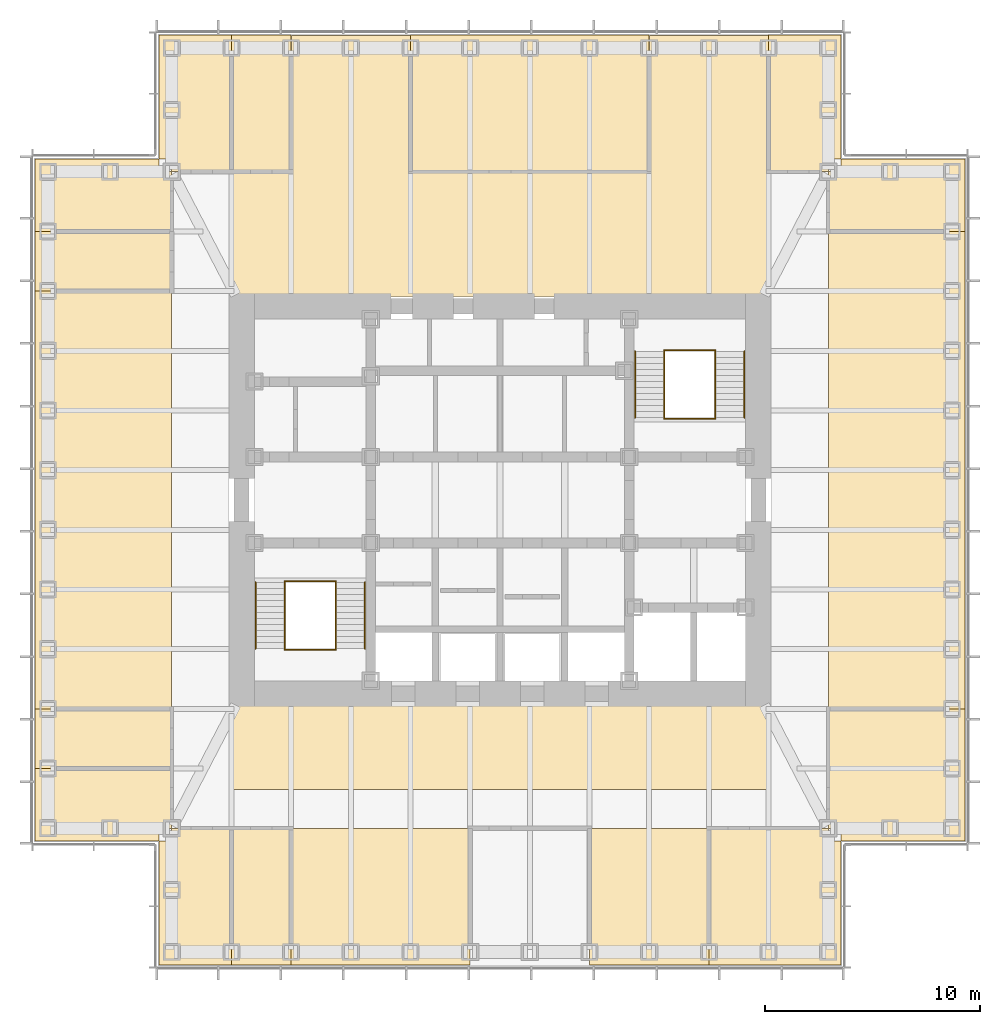
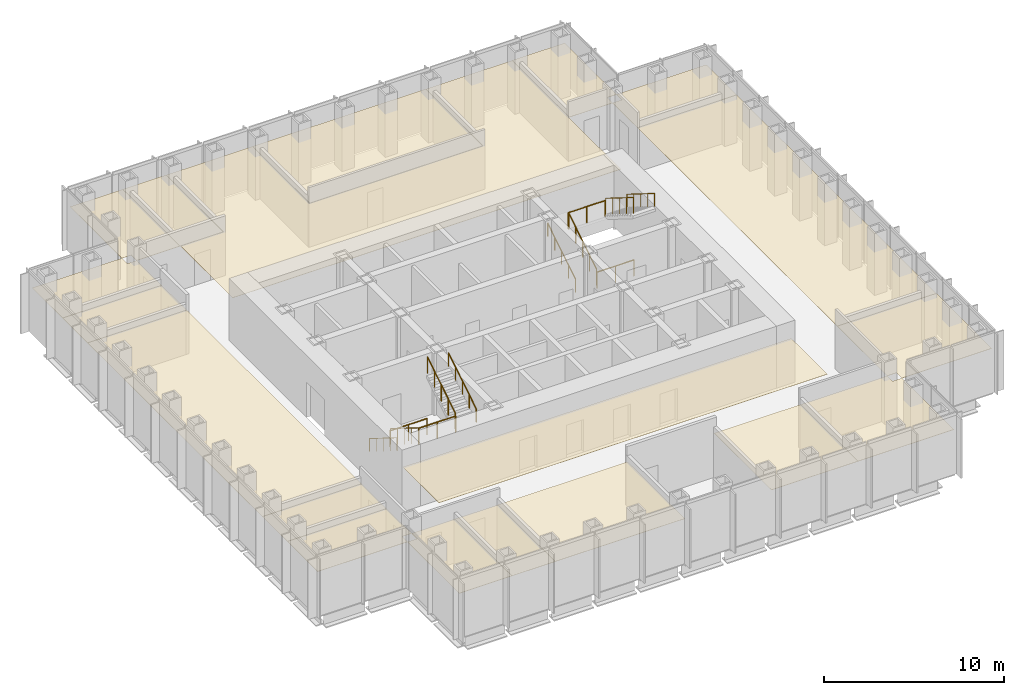
# One storey, part 16 of 16: 19 coverings, 12 railings.
"""IFC4 building model written with IfcOpenShell, lengths in metres."""

from ifc_helpers import new_model, si_unit, direction, frame, origin, origin_2d, place, context, subcontext, project, spatial, polyline, circle, outline, extrude, material, layer, layer_set, type_object, element, save


model = new_model("IFC4")

# Units and contexts
model_context = context("Model", 3, precision=1e-05, world=origin(), true_north=direction((0.0, 1.0)))
body_context = subcontext(model_context, "Body", "Model", "MODEL_VIEW")
ifc_project = project(units=[si_unit("LENGTHUNIT", "METRE"), si_unit("AREAUNIT", "SQUARE_METRE"), si_unit("VOLUMEUNIT", "CUBIC_METRE"), si_unit("PLANEANGLEUNIT", "RADIAN"), si_unit("MASSUNIT", "GRAM", prefix="KILO")], contexts=[model_context])

# Site, building, storey
site_placement = place(None, origin())
site = spatial("IfcSite", under=ifc_project, at=site_placement, CompositionType="ELEMENT")
building_placement = place(site_placement, origin())
building = spatial("IfcBuilding", under=site, at=building_placement, Name="Daluyong Arena Tower", CompositionType="ELEMENT")
storey_placement = place(building_placement, frame((0.0, 0.0, 262.89990234375)))
storey = spatial("IfcBuildingStorey", under=building, at=storey_placement, Name="L59", CompositionType="ELEMENT", Elevation=262.89990234375)

# Coverings
ifc_material_1 = material(Name="Mineral fibre ceiling tile", Category="gypsum board")
ifc_layer = layer(ifc_material_1, 0.02001953125)
ifc_layer_set = layer_set([ifc_layer], Name="Mineral fibre ceiling tile")
covering_type = type_object("IfcCoveringType", Name="Office ceiling", PredefinedType="CEILING", material=ifc_layer_set)
covering_1_placement = place(storey_placement, frame((0.0, 0.0, 2.900146484375)))
element("IfcCovering", 1, at=covering_1_placement, inside=storey, type_object=covering_type, Name="ceiling L59-01", PredefinedType="CEILING", context=body_context, shape_type="SweptSolid", body=[
    extrude(outline(polyline([(40.14990234375, 64.14990234375), (40.14990234375, 58.39990234375), (43.522705078125, 58.39990234375), (43.522705078125, 64.75), (40.75, 64.75), (40.75, 64.14990234375), (40.14990234375, 64.14990234375)])), origin(), (0.0, 0.0, 1.0), 0.02001953125),
])
covering_2_placement = place(storey_placement, frame((0.0, 0.0, 2.900146484375)))
element("IfcCovering", 2, at=covering_2_placement, inside=storey, type_object=covering_type, Name="ceiling L59-02", PredefinedType="CEILING", context=body_context, shape_type="SweptSolid", body=[
    extrude(outline(polyline([(43.522705078125, 64.75), (43.522705078125, 58.39990234375), (46.29541015625, 58.39990234375), (46.29541015625, 64.75), (43.522705078125, 64.75)])), origin(), (0.0, 0.0, 1.0), 0.02001953125),
])
covering_3_placement = place(storey_placement, frame((0.0, 0.0, 2.900146484375)))
element("IfcCovering", 3, at=covering_3_placement, inside=storey, type_object=covering_type, Name="ceiling L59-04", PredefinedType="CEILING", context=body_context, shape_type="SweptSolid", body=[
    extrude(outline(polyline([(71.85009765625, 58.39990234375), (71.85009765625, 64.14990234375), (71.25, 64.14990234375), (71.25, 64.75), (65.70458984375, 64.75), (65.70458984375, 58.39990234375), (71.85009765625, 58.39990234375)])), origin(), (0.0, 0.0, 1.0), 0.02001953125),
])
covering_4_placement = place(storey_placement, frame((0.0, 0.0, 2.900146484375)))
element("IfcCovering", 4, at=covering_4_placement, inside=storey, type_object=covering_type, Name="ceiling L59-05", PredefinedType="CEILING", context=body_context, shape_type="SweptSolid", body=[
    extrude(outline(polyline([(71.85009765625, 64.14990234375), (77.60009765625, 64.14990234375), (77.60009765625, 70.29541015625), (71.25, 70.29541015625), (71.25, 64.75), (71.85009765625, 64.75), (71.85009765625, 64.14990234375)])), origin(), (0.0, 0.0, 1.0), 0.02001953125),
])
covering_5_placement = place(storey_placement, frame((0.0, 0.0, 2.900146484375)))
element("IfcCovering", 5, at=covering_5_placement, inside=storey, type_object=covering_type, Name="ceiling L59-06", PredefinedType="CEILING", context=body_context, shape_type="SweptSolid", body=[
    extrude(outline(polyline([(71.25, 92.477294921875), (77.60009765625, 92.477294921875), (77.60009765625, 95.85009765625), (71.85009765625, 95.85009765625), (71.85009765625, 95.25), (71.25, 95.25), (71.25, 92.477294921875)])), origin(), (0.0, 0.0, 1.0), 0.02001953125),
])
covering_6_placement = place(storey_placement, frame((0.0, 0.0, 2.900146484375)))
element("IfcCovering", 6, at=covering_6_placement, inside=storey, type_object=covering_type, Name="ceiling L59-07", PredefinedType="CEILING", context=body_context, shape_type="SweptSolid", body=[
    extrude(outline(polyline([(43.522705078125, 95.25), (43.522705078125, 101.60009765625), (40.14990234375, 101.60009765625), (40.14990234375, 95.85009765625), (40.75, 95.85009765625), (40.75, 95.25), (43.522705078125, 95.25)])), origin(), (0.0, 0.0, 1.0), 0.02001953125),
])
covering_7_placement = place(storey_placement, frame((0.0, 0.0, 2.900146484375)))
element("IfcCovering", 7, at=covering_7_placement, inside=storey, type_object=covering_type, Name="ceiling L59-08", PredefinedType="CEILING", context=body_context, shape_type="SweptSolid", body=[
    extrude(outline(polyline([(46.29541015625, 95.25), (46.29541015625, 101.60009765625), (43.522705078125, 101.60009765625), (43.522705078125, 95.25), (46.29541015625, 95.25)])), origin(), (0.0, 0.0, 1.0), 0.02001953125),
])
covering_8_placement = place(storey_placement, frame((0.0, 0.0, 2.900146484375)))
element("IfcCovering", 8, at=covering_8_placement, inside=storey, type_object=covering_type, Name="ceiling L59-09", PredefinedType="CEILING", context=body_context, shape_type="SweptSolid", body=[
    extrude(outline(polyline([(62.931884765625, 95.25), (62.931884765625, 101.60009765625), (51.8408203125, 101.60009765625), (51.8408203125, 95.25), (62.931884765625, 95.25)])), origin(), (0.0, 0.0, 1.0), 0.02001953125),
])
covering_9_placement = place(storey_placement, frame((0.0, 0.0, 2.900146484375)))
element("IfcCovering", 9, at=covering_9_placement, inside=storey, type_object=covering_type, Name="ceiling L59-10", PredefinedType="CEILING", context=body_context, shape_type="SweptSolid", body=[
    extrude(outline(polyline([(68.477294921875, 95.25), (71.25, 95.25), (71.25, 95.85009765625), (71.85009765625, 95.85009765625), (71.85009765625, 101.60009765625), (68.477294921875, 101.60009765625), (68.477294921875, 95.25)])), origin(), (0.0, 0.0, 1.0), 0.02001953125),
])
covering_10_placement = place(storey_placement, frame((0.0, 0.0, 2.900146484375)))
element("IfcCovering", 10, at=covering_10_placement, inside=storey, type_object=covering_type, Name="ceiling L59-11", PredefinedType="CEILING", context=body_context, shape_type="SweptSolid", body=[
    extrude(outline(polyline([(34.39990234375, 64.14990234375), (40.14990234375, 64.14990234375), (40.14990234375, 64.75), (40.75, 64.75), (40.75, 67.522705078125), (34.39990234375, 67.522705078125), (34.39990234375, 64.14990234375)])), origin(), (0.0, 0.0, 1.0), 0.02001953125),
])
covering_11_placement = place(storey_placement, frame((0.0, 0.0, 2.900146484375)))
element("IfcCovering", 11, at=covering_11_placement, inside=storey, type_object=covering_type, Name="ceiling L59-12", PredefinedType="CEILING", context=body_context, shape_type="SweptSolid", body=[
    extrude(outline(polyline([(40.75, 70.29541015625), (34.39990234375, 70.29541015625), (34.39990234375, 67.522705078125), (40.75, 67.522705078125), (40.75, 70.29541015625)])), origin(), (0.0, 0.0, 1.0), 0.02001953125),
])
covering_12_placement = place(storey_placement, frame((0.0, 0.0, 2.900146484375)))
element("IfcCovering", 12, at=covering_12_placement, inside=storey, type_object=covering_type, Name="ceiling L59-13", PredefinedType="CEILING", context=body_context, shape_type="SweptSolid", body=[
    extrude(outline(polyline([(40.75, 92.477294921875), (34.39990234375, 92.477294921875), (34.39990234375, 89.70458984375), (40.75, 89.70458984375), (40.75, 92.477294921875)])), origin(), (0.0, 0.0, 1.0), 0.02001953125),
])
covering_13_placement = place(storey_placement, frame((0.0, 0.0, 2.900146484375)))
element("IfcCovering", 13, at=covering_13_placement, inside=storey, type_object=covering_type, Name="ceiling L59-14", PredefinedType="CEILING", context=body_context, shape_type="SweptSolid", body=[
    extrude(outline(polyline([(40.75, 92.477294921875), (40.75, 95.25), (40.14990234375, 95.25), (40.14990234375, 95.85009765625), (34.39990234375, 95.85009765625), (34.39990234375, 92.477294921875), (40.75, 92.477294921875)])), origin(), (0.0, 0.0, 1.0), 0.02001953125),
])
covering_14_placement = place(storey_placement, frame((0.0, 0.0, 2.900146484375)))
element("IfcCovering", 14, at=covering_14_placement, inside=storey, type_object=covering_type, Name="ceiling L59-16", PredefinedType="CEILING", context=body_context, shape_type="SweptSolid", body=[
    extrude(outline(polyline([(60.1591796875, 58.39990234375), (65.70458984375, 58.39990234375), (65.70458984375, 64.75), (60.1591796875, 64.75), (60.1591796875, 58.39990234375)])), origin(), (0.0, 0.0, 1.0), 0.02001953125),
])
covering_15_placement = place(storey_placement, frame((0.0, 0.0, 2.900146484375)))
element("IfcCovering", 15, at=covering_15_placement, inside=storey, type_object=covering_type, Name="ceiling L59-17", PredefinedType="CEILING", context=body_context, shape_type="SweptSolid", body=[
    extrude(outline(polyline([(46.29541015625, 58.39990234375), (54.613525390625, 58.39990234375), (54.613525390625, 64.75), (46.29541015625, 64.75), (46.29541015625, 58.39990234375)])), origin(), (0.0, 0.0, 1.0), 0.02001953125),
])
covering_16_placement = place(storey_placement, frame((0.0, 0.0, 2.900146484375)))
element("IfcCovering", 16, at=covering_16_placement, inside=storey, type_object=covering_type, Name="ceiling L59-18", PredefinedType="CEILING", context=body_context, shape_type="SweptSolid", body=[
    extrude(outline(polyline([(68.449951171875, 66.550048828125), (68.449951171875, 70.550048828125), (43.550048828125, 70.550048828125), (43.550048828125, 66.550048828125), (68.449951171875, 66.550048828125)])), origin(), (0.0, 0.0, 1.0), 0.02001953125),
])
covering_17_placement = place(storey_placement, frame((0.0, 0.0, 2.900146484375)))
element("IfcCovering", 17, at=covering_17_placement, inside=storey, type_object=covering_type, Name="ceiling L59-19", PredefinedType="CEILING", context=body_context, shape_type="SweptSolid", body=[
    extrude(outline(polyline([(77.60009765625, 70.29541015625), (77.60009765625, 92.477294921875), (71.25, 92.477294921875), (71.25, 70.29541015625), (77.60009765625, 70.29541015625)])), origin(), (0.0, 0.0, 1.0), 0.02001953125),
])
covering_18_placement = place(storey_placement, frame((0.0, 0.0, 2.900146484375)))
element("IfcCovering", 18, at=covering_18_placement, inside=storey, type_object=covering_type, Name="ceiling L59-20", PredefinedType="CEILING", context=body_context, shape_type="SweptSolid", body=[
    extrude(outline(polyline([(51.830810546875, 101.590087890625), (46.305419921875, 101.590087890625), (46.305419921875, 95.239990234375), (43.56005859375, 95.239990234375), (43.56005859375, 89.4599609375), (68.43994140625, 89.4599609375), (68.43994140625, 95.25), (68.477294921875, 95.250244140625), (68.477294921875, 101.60009765625), (68.449951171875, 101.60009765625), (68.449462890625, 101.590087890625), (62.94189453125, 101.590087890625), (62.94189453125, 95.239990234375), (51.830810546875, 95.239990234375), (51.830810546875, 101.590087890625)])), origin(), (0.0, 0.0, 1.0), 0.02001953125),
])
covering_19_placement = place(storey_placement, frame((0.0, 0.0, 2.900146484375)))
element("IfcCovering", 19, at=covering_19_placement, inside=storey, type_object=covering_type, Name="ceiling L59-21", PredefinedType="CEILING", context=body_context, shape_type="SweptSolid", body=[
    extrude(outline(polyline([(40.75, 70.29541015625), (40.75, 89.70458984375), (34.39990234375, 89.70458984375), (34.39990234375, 70.29541015625), (40.75, 70.29541015625)])), origin(), (0.0, 0.0, 1.0), 0.02001953125),
])

# Railings
ifc_material_2 = material(Name="Stainless steel handrail", Category="steel")
railing_type_1 = type_object("IfcRailingType", Name="Stair handrail", PredefinedType="HANDRAIL", material=ifc_material_2)
railing_1_placement = place(storey_placement, frame((44.64990234375, 76.175048828125, 0.175048828125)))
element("IfcRailing", 20, at=railing_1_placement, inside=storey, type_object=railing_type_1, Name="exit stair A handrail L59", PredefinedType="HANDRAIL", context=body_context, shape_type="SweptSolid", body=[
    extrude(circle(Radius=0.02392578125, at=origin_2d()), frame((0.0, 0.0, 0.8759765625), z_axis=(0.0, -0.847998304005, 0.529998940003), x_axis=(1.0, 0.0, 0.0)), (0.0, 0.0, 1.0), 3.632080078125),
    extrude(circle(Radius=0.02099609375, at=origin_2d()), origin(), (0.0, 0.0, 1.0), 0.851806640625),
    extrude(circle(Radius=0.02099609375, at=origin_2d()), frame((0.0, -0.77001953125, 0.481201171875)), (0.0, 0.0, 1.0), 0.851806640625),
    extrude(circle(Radius=0.02099609375, at=origin_2d()), frame((0.0, -1.5400390625, 0.96240234375)), (0.0, 0.0, 1.0), 0.851806640625),
    extrude(circle(Radius=0.02099609375, at=origin_2d()), frame((0.0, -2.31005859375, 1.44384765625)), (0.0, 0.0, 1.0), 0.851806640625),
    extrude(circle(Radius=0.02099609375, at=origin_2d()), frame((0.0, -3.080078125, 1.925048828125)), (0.0, 0.0, 1.0), 0.851806640625),
])
for number, where, name in (
    (21, (49.72509765625, 73.094970703125, 2.275146484375), "exit stair A handrail L59"),
    (22, (62.27490234375, 83.824951171875, 0.175048828125), "exit stair B handrail L59"),
):
    element("IfcRailing", number, at=place(storey_placement, frame(where)), inside=storey, type_object=railing_type_1, Name=name, PredefinedType="HANDRAIL", context=body_context, shape_type="SweptSolid", body=[
        extrude(circle(Radius=0.02392578125, at=origin_2d()), frame((0.0, 0.0, 0.8759765625), z_axis=(0.0, 0.847998304005, 0.529998940003), x_axis=(-1.0, 0.0, 0.0)), (0.0, 0.0, 1.0), 3.632080078125),
        extrude(circle(Radius=0.02099609375, at=origin_2d()), origin(), (0.0, 0.0, 1.0), 0.851806640625),
        extrude(circle(Radius=0.02099609375, at=origin_2d()), frame((0.0, 0.77001953125, 0.481201171875)), (0.0, 0.0, 1.0), 0.851806640625),
        extrude(circle(Radius=0.02099609375, at=origin_2d()), frame((0.0, 1.5400390625, 0.96240234375)), (0.0, 0.0, 1.0), 0.851806640625),
        extrude(circle(Radius=0.02099609375, at=origin_2d()), frame((0.0, 2.31005859375, 1.44384765625)), (0.0, 0.0, 1.0), 0.851806640625),
        extrude(circle(Radius=0.02099609375, at=origin_2d()), frame((0.0, 3.080078125, 1.925048828125)), (0.0, 0.0, 1.0), 0.851806640625),
    ])
railing_2_placement = place(storey_placement, frame((67.35009765625, 86.905029296875, 2.275146484375)))
element("IfcRailing", 23, at=railing_2_placement, inside=storey, type_object=railing_type_1, Name="exit stair B handrail L59", PredefinedType="HANDRAIL", context=body_context, shape_type="SweptSolid", body=[
    extrude(circle(Radius=0.02392578125, at=origin_2d()), frame((0.0, 0.0, 0.8759765625), z_axis=(0.0, -0.847998304005, 0.529998940003), x_axis=(1.0, 0.0, 0.0)), (0.0, 0.0, 1.0), 3.632080078125),
    extrude(circle(Radius=0.02099609375, at=origin_2d()), origin(), (0.0, 0.0, 1.0), 0.851806640625),
    extrude(circle(Radius=0.02099609375, at=origin_2d()), frame((0.0, -0.77001953125, 0.481201171875)), (0.0, 0.0, 1.0), 0.851806640625),
    extrude(circle(Radius=0.02099609375, at=origin_2d()), frame((0.0, -1.5400390625, 0.96240234375)), (0.0, 0.0, 1.0), 0.851806640625),
    extrude(circle(Radius=0.02099609375, at=origin_2d()), frame((0.0, -2.31005859375, 1.44384765625)), (0.0, 0.0, 1.0), 0.851806640625),
    extrude(circle(Radius=0.02099609375, at=origin_2d()), frame((0.0, -3.080078125, 1.925048828125)), (0.0, 0.0, 1.0), 0.851806640625),
])
ifc_material_3 = material(Name="Steel balustrade", Category="steel")
railing_type_2 = type_object("IfcRailingType", Name="Stair well guard 1100", PredefinedType="GUARDRAIL", material=ifc_material_3)
railing_3_placement = place(storey_placement, frame((46.0, 76.175048828125, 0.175048828125)))
element("IfcRailing", 24, at=railing_3_placement, inside=storey, type_object=railing_type_2, Name="exit stair A well guard L59", PredefinedType="GUARDRAIL", context=body_context, shape_type="SweptSolid", body=[
    extrude(circle(Radius=0.02392578125, at=origin_2d()), frame((0.0, 0.0, 1.076171875), z_axis=(0.0, -0.847998304005, 0.529998940003), x_axis=(1.0, 0.0, 0.0)), (0.0, 0.0, 1.0), 3.632080078125),
    extrude(circle(Radius=0.02099609375, at=origin_2d()), origin(), (0.0, 0.0, 1.0), 1.052001953125),
    extrude(circle(Radius=0.02099609375, at=origin_2d()), frame((0.0, -0.77001953125, 0.481201171875)), (0.0, 0.0, 1.0), 1.052001953125),
    extrude(circle(Radius=0.02099609375, at=origin_2d()), frame((0.0, -1.5400390625, 0.96240234375)), (0.0, 0.0, 1.0), 1.052001953125),
    extrude(circle(Radius=0.02099609375, at=origin_2d()), frame((0.0, -2.31005859375, 1.44384765625)), (0.0, 0.0, 1.0), 1.052001953125),
    extrude(circle(Radius=0.02099609375, at=origin_2d()), frame((0.0, -3.080078125, 1.925048828125)), (0.0, 0.0, 1.0), 1.052001953125),
])
railing_4_placement = place(storey_placement, frame((48.375, 73.094970703125, 2.275146484375)))
element("IfcRailing", 25, at=railing_4_placement, inside=storey, type_object=railing_type_2, Name="exit stair A well guard L59", PredefinedType="GUARDRAIL", context=body_context, shape_type="SweptSolid", body=[
    extrude(circle(Radius=0.02392578125, at=origin_2d()), frame((0.0, 0.0, 1.076171875), z_axis=(0.0, 0.847998304005, 0.529998940003), x_axis=(-1.0, 0.0, 0.0)), (0.0, 0.0, 1.0), 3.632080078125),
    extrude(circle(Radius=0.02099609375, at=origin_2d()), origin(), (0.0, 0.0, 1.0), 1.052001953125),
    extrude(circle(Radius=0.02099609375, at=origin_2d()), frame((0.0, 0.77001953125, 0.481201171875)), (0.0, 0.0, 1.0), 1.052001953125),
    extrude(circle(Radius=0.02099609375, at=origin_2d()), frame((0.0, 1.5400390625, 0.96240234375)), (0.0, 0.0, 1.0), 1.052001953125),
    extrude(circle(Radius=0.02099609375, at=origin_2d()), frame((0.0, 2.31005859375, 1.44384765625)), (0.0, 0.0, 1.0), 1.052001953125),
    extrude(circle(Radius=0.02099609375, at=origin_2d()), frame((0.0, 3.080078125, 1.925048828125)), (0.0, 0.0, 1.0), 1.052001953125),
])
for number, where, name in (
    (26, (46.0, 73.044921875, 2.10009765625), "exit stair A landing guard L59"),
    (27, (46.0, 76.22509765625, 0.0), "exit stair A floor landing guard L59"),
):
    element("IfcRailing", number, at=place(storey_placement, frame(where)), inside=storey, type_object=railing_type_2, Name=name, PredefinedType="GUARDRAIL", context=body_context, shape_type="SweptSolid", body=[
        extrude(circle(Radius=0.02392578125, at=origin_2d()), frame((0.0, 0.0, 1.076171875), z_axis=(1.0, 0.0, 0.0), x_axis=(0.0, 1.0, 0.0)), (0.0, 0.0, 1.0), 2.375),
        extrude(circle(Radius=0.02099609375, at=origin_2d()), origin(), (0.0, 0.0, 1.0), 1.052001953125),
        extrude(circle(Radius=0.02099609375, at=origin_2d()), frame((1.1875, 0.0, 0.0)), (0.0, 0.0, 1.0), 1.052001953125),
        extrude(circle(Radius=0.02099609375, at=origin_2d()), frame((2.375, 0.0, 0.0)), (0.0, 0.0, 1.0), 1.052001953125),
    ])
railing_5_placement = place(storey_placement, frame((63.625, 83.824951171875, 0.175048828125)))
element("IfcRailing", 28, at=railing_5_placement, inside=storey, type_object=railing_type_2, Name="exit stair B well guard L59", PredefinedType="GUARDRAIL", context=body_context, shape_type="SweptSolid", body=[
    extrude(circle(Radius=0.02392578125, at=origin_2d()), frame((0.0, 0.0, 1.076171875), z_axis=(0.0, 0.847998304005, 0.529998940003), x_axis=(-1.0, 0.0, 0.0)), (0.0, 0.0, 1.0), 3.632080078125),
    extrude(circle(Radius=0.02099609375, at=origin_2d()), origin(), (0.0, 0.0, 1.0), 1.052001953125),
    extrude(circle(Radius=0.02099609375, at=origin_2d()), frame((0.0, 0.77001953125, 0.481201171875)), (0.0, 0.0, 1.0), 1.052001953125),
    extrude(circle(Radius=0.02099609375, at=origin_2d()), frame((0.0, 1.5400390625, 0.96240234375)), (0.0, 0.0, 1.0), 1.052001953125),
    extrude(circle(Radius=0.02099609375, at=origin_2d()), frame((0.0, 2.31005859375, 1.44384765625)), (0.0, 0.0, 1.0), 1.052001953125),
    extrude(circle(Radius=0.02099609375, at=origin_2d()), frame((0.0, 3.080078125, 1.925048828125)), (0.0, 0.0, 1.0), 1.052001953125),
])
railing_6_placement = place(storey_placement, frame((66.0, 86.905029296875, 2.275146484375)))
element("IfcRailing", 29, at=railing_6_placement, inside=storey, type_object=railing_type_2, Name="exit stair B well guard L59", PredefinedType="GUARDRAIL", context=body_context, shape_type="SweptSolid", body=[
    extrude(circle(Radius=0.02392578125, at=origin_2d()), frame((0.0, 0.0, 1.076171875), z_axis=(0.0, -0.847998304005, 0.529998940003), x_axis=(1.0, 0.0, 0.0)), (0.0, 0.0, 1.0), 3.632080078125),
    extrude(circle(Radius=0.02099609375, at=origin_2d()), origin(), (0.0, 0.0, 1.0), 1.052001953125),
    extrude(circle(Radius=0.02099609375, at=origin_2d()), frame((0.0, -0.77001953125, 0.481201171875)), (0.0, 0.0, 1.0), 1.052001953125),
    extrude(circle(Radius=0.02099609375, at=origin_2d()), frame((0.0, -1.5400390625, 0.96240234375)), (0.0, 0.0, 1.0), 1.052001953125),
    extrude(circle(Radius=0.02099609375, at=origin_2d()), frame((0.0, -2.31005859375, 1.44384765625)), (0.0, 0.0, 1.0), 1.052001953125),
    extrude(circle(Radius=0.02099609375, at=origin_2d()), frame((0.0, -3.080078125, 1.925048828125)), (0.0, 0.0, 1.0), 1.052001953125),
])
for number, where, name in (
    (30, (63.625, 86.955078125, 2.10009765625), "exit stair B landing guard L59"),
    (31, (63.625, 83.77490234375, 0.0), "exit stair B floor landing guard L59"),
):
    element("IfcRailing", number, at=place(storey_placement, frame(where)), inside=storey, type_object=railing_type_2, Name=name, PredefinedType="GUARDRAIL", context=body_context, shape_type="SweptSolid", body=[
        extrude(circle(Radius=0.02392578125, at=origin_2d()), frame((0.0, 0.0, 1.076171875), z_axis=(1.0, 0.0, 0.0), x_axis=(0.0, 1.0, 0.0)), (0.0, 0.0, 1.0), 2.375),
        extrude(circle(Radius=0.02099609375, at=origin_2d()), origin(), (0.0, 0.0, 1.0), 1.052001953125),
        extrude(circle(Radius=0.02099609375, at=origin_2d()), frame((1.1875, 0.0, 0.0)), (0.0, 0.0, 1.0), 1.052001953125),
        extrude(circle(Radius=0.02099609375, at=origin_2d()), frame((2.375, 0.0, 0.0)), (0.0, 0.0, 1.0), 1.052001953125),
    ])

save(model, "model.ifc")
